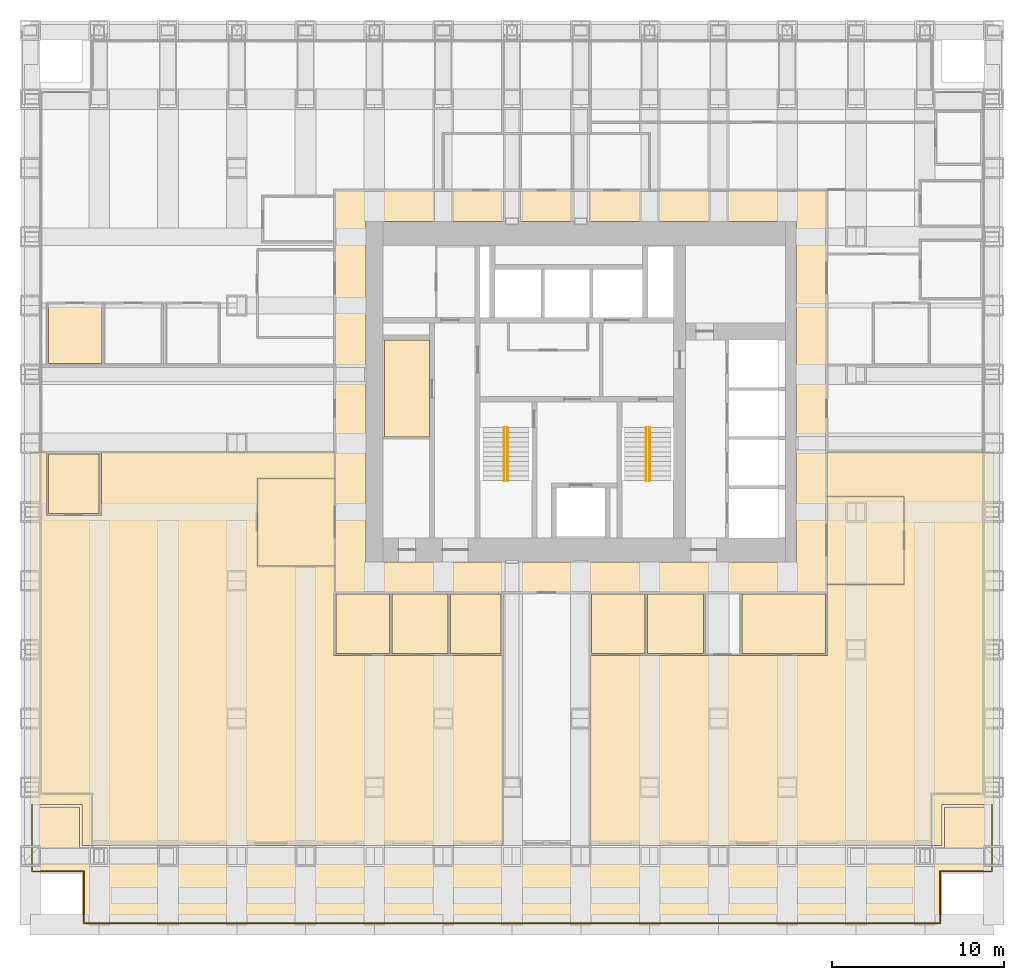
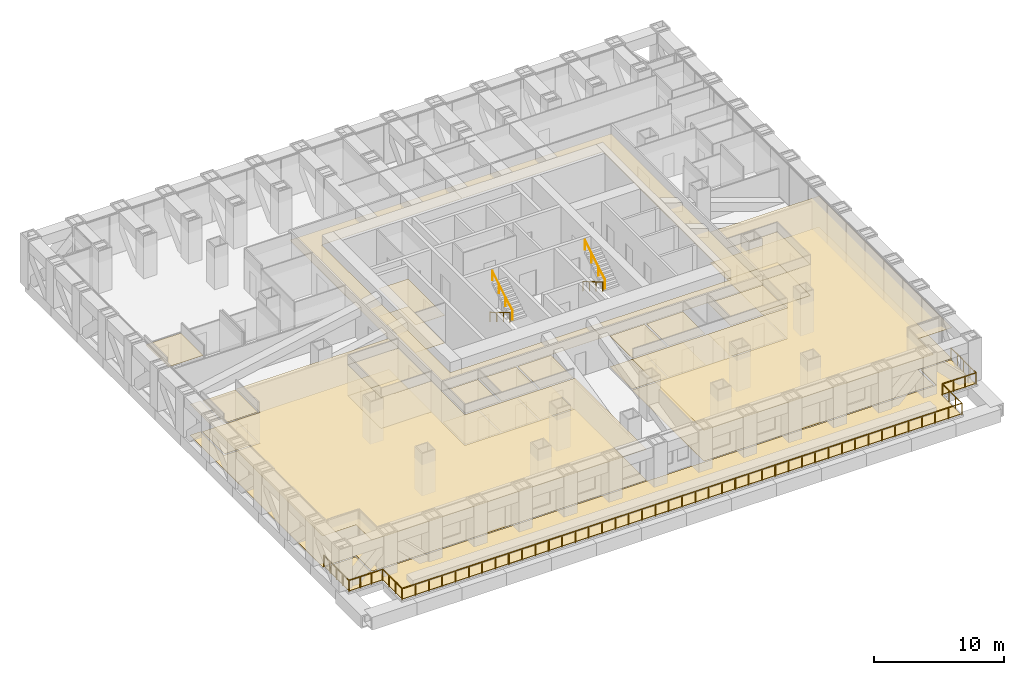
# One storey, part 16 of 18: 28 coverings, 5 railings.
"""IFC4 building model written with IfcOpenShell, lengths in metres."""

from ifc_helpers import new_model, si_unit, direction, frame, origin, origin_2d, place, context, subcontext, project, spatial, polyline, circle, outline, extrude, material, layer, layer_set, type_object, element, save


model = new_model("IFC4")

# Units and contexts
model_context = context("Model", 3, precision=1e-05, world=origin(), true_north=direction((0.0, 1.0)))
body_context = subcontext(model_context, "Body", "Model", "MODEL_VIEW")
ifc_project = project(units=[si_unit("LENGTHUNIT", "METRE"), si_unit("AREAUNIT", "SQUARE_METRE"), si_unit("VOLUMEUNIT", "CUBIC_METRE"), si_unit("PLANEANGLEUNIT", "RADIAN"), si_unit("MASSUNIT", "GRAM", prefix="KILO")], contexts=[model_context])

# Site, building, storey
site_placement = place(None, origin())
site = spatial("IfcSite", under=ifc_project, at=site_placement, CompositionType="ELEMENT")
building_placement = place(site_placement, origin())
building = spatial("IfcBuilding", under=site, at=building_placement, Name="Rimbunsela Tower", CompositionType="ELEMENT")
storey_placement = place(building_placement, frame((0.0, 0.0, 43.0)))
storey = spatial("IfcBuildingStorey", under=building, at=storey_placement, Name="L10", CompositionType="ELEMENT", Elevation=43.0)

# Coverings
ifc_material_1 = material(Name="Nylon carpet tile", Category="textile")
ifc_layer_1 = layer(ifc_material_1, 0.010009765625)
ifc_layer_set_1 = layer_set([ifc_layer_1], Name="Carpet tile 10")
covering_type_1 = type_object("IfcCoveringType", Name="Carpet tile 10", PredefinedType="FLOORING", material=ifc_layer_set_1)
covering_1_placement = place(storey_placement, origin())
element("IfcCovering", 1, at=covering_1_placement, inside=storey, type_object=covering_type_1, Name="Floor finish Open office", PredefinedType="FLOORING", context=body_context, shape_type="SweptSolid", body=[
    extrude(outline(polyline([(19.0, 11.64990234375), (22.300048828125, 11.64990234375), (22.39990234375, 11.64990234375), (25.448974609375, 11.64990234375), (25.448974609375, 0.60009765625), (15.699951171875, 0.60009765625), (1.0, 0.60009765625), (1.0, 3.0), (-2.0, 3.0), (-2.0, 23.448974609375), (-1.070068359375, 23.448974609375), (-1.070068359375, 19.800048828125), (2.1298828125, 19.800048828125), (2.1298828125, 23.448974609375), (15.699951171875, 23.448974609375), (15.699951171875, 21.948974609375), (11.199951171875, 21.948974609375), (11.199951171875, 16.84912109375), (15.699951171875, 16.84912109375), (15.699951171875, 15.35009765625), (15.64990234375, 15.35009765625), (15.64990234375, 11.64990234375), (15.699951171875, 11.64990234375), (18.89990234375, 11.64990234375), (19.0, 11.64990234375)])), origin(), (0.0, 0.0, 1.0), 0.010009765625),
])
covering_2_placement = place(storey_placement, origin())
element("IfcCovering", 2, at=covering_2_placement, inside=storey, type_object=covering_type_1, Name="Floor finish Open office", PredefinedType="FLOORING", context=body_context, shape_type="SweptSolid", body=[
    extrude(outline(polyline([(33.85107421875, 11.64990234375), (37.15087890625, 11.64990234375), (37.2509765625, 11.64990234375), (39.2509765625, 11.64990234375), (39.35107421875, 11.64990234375), (44.300048828125, 11.64990234375), (44.35009765625, 11.64990234375), (44.35009765625, 15.35009765625), (44.300048828125, 15.35009765625), (44.300048828125, 15.799072265625), (48.800048828125, 15.799072265625), (48.800048828125, 20.89892578125), (44.300048828125, 20.89892578125), (44.300048828125, 23.448974609375), (54.0, 23.448974609375), (54.0, 3.0), (51.0, 3.0), (51.0, 0.60009765625), (44.300048828125, 0.60009765625), (30.551025390625, 0.60009765625), (30.551025390625, 11.64990234375), (33.7509765625, 11.64990234375), (33.85107421875, 11.64990234375)])), origin(), (0.0, 0.0, 1.0), 0.010009765625),
])
covering_3_placement = place(storey_placement, origin())
element("IfcCovering", 3, at=covering_3_placement, inside=storey, type_object=covering_type_1, Name="Floor finish Reception", PredefinedType="FLOORING", context=body_context, shape_type="SweptSolid", body=[
    extrude(outline(polyline([(15.699951171875, 16.84912109375), (15.699951171875, 21.948974609375), (11.199951171875, 21.948974609375), (11.199951171875, 16.84912109375), (15.699951171875, 16.84912109375)])), origin(), (0.0, 0.0, 1.0), 0.010009765625),
])
covering_4_placement = place(storey_placement, origin())
element("IfcCovering", 4, at=covering_4_placement, inside=storey, type_object=covering_type_1, Name="Floor finish Reception", PredefinedType="FLOORING", context=body_context, shape_type="SweptSolid", body=[
    extrude(outline(polyline([(48.800048828125, 15.799072265625), (48.800048828125, 20.89892578125), (44.300048828125, 20.89892578125), (44.300048828125, 15.799072265625), (48.800048828125, 15.799072265625)])), origin(), (0.0, 0.0, 1.0), 0.010009765625),
])
covering_5_placement = place(storey_placement, origin())
element("IfcCovering", 5, at=covering_5_placement, inside=storey, type_object=covering_type_1, Name="Floor finish Interview room", PredefinedType="FLOORING", context=body_context, shape_type="SweptSolid", body=[
    extrude(outline(polyline([(18.875, 11.77490234375), (18.875, 15.22509765625), (15.77490234375, 15.22509765625), (15.77490234375, 11.77490234375), (18.875, 11.77490234375)])), origin(), (0.0, 0.0, 1.0), 0.010009765625),
])
covering_6_placement = place(storey_placement, origin())
element("IfcCovering", 6, at=covering_6_placement, inside=storey, type_object=covering_type_1, Name="Floor finish Pantry", PredefinedType="FLOORING", context=body_context, shape_type="SweptSolid", body=[
    extrude(outline(polyline([(22.27490234375, 11.77490234375), (22.27490234375, 15.22509765625), (19.02490234375, 15.22509765625), (19.02490234375, 11.77490234375), (22.27490234375, 11.77490234375)])), origin(), (0.0, 0.0, 1.0), 0.010009765625),
])
covering_7_placement = place(storey_placement, origin())
element("IfcCovering", 7, at=covering_7_placement, inside=storey, type_object=covering_type_1, Name="Floor finish Print and copy room", PredefinedType="FLOORING", context=body_context, shape_type="SweptSolid", body=[
    extrude(outline(polyline([(25.3740234375, 11.77490234375), (25.3740234375, 15.22509765625), (22.425048828125, 15.22509765625), (22.425048828125, 11.77490234375), (25.3740234375, 11.77490234375)])), origin(), (0.0, 0.0, 1.0), 0.010009765625),
])
covering_8_placement = place(storey_placement, origin())
element("IfcCovering", 8, at=covering_8_placement, inside=storey, type_object=covering_type_1, Name="Floor finish Interview room", PredefinedType="FLOORING", context=body_context, shape_type="SweptSolid", body=[
    extrude(outline(polyline([(33.72607421875, 11.77490234375), (33.72607421875, 15.22509765625), (30.6259765625, 15.22509765625), (30.6259765625, 11.77490234375), (33.72607421875, 11.77490234375)])), origin(), (0.0, 0.0, 1.0), 0.010009765625),
])
covering_9_placement = place(storey_placement, origin())
element("IfcCovering", 9, at=covering_9_placement, inside=storey, type_object=covering_type_1, Name="Floor finish Pantry", PredefinedType="FLOORING", context=body_context, shape_type="SweptSolid", body=[
    extrude(outline(polyline([(37.1259765625, 11.77490234375), (37.1259765625, 15.22509765625), (33.8759765625, 15.22509765625), (33.8759765625, 11.77490234375), (37.1259765625, 11.77490234375)])), origin(), (0.0, 0.0, 1.0), 0.010009765625),
])
covering_10_placement = place(storey_placement, origin())
element("IfcCovering", 10, at=covering_10_placement, inside=storey, type_object=covering_type_1, Name="Floor finish Office", PredefinedType="FLOORING", context=body_context, shape_type="SweptSolid", body=[
    extrude(outline(polyline([(44.22509765625, 11.77490234375), (44.22509765625, 15.22509765625), (39.3759765625, 15.22509765625), (39.3759765625, 11.77490234375), (44.22509765625, 11.77490234375)])), origin(), (0.0, 0.0, 1.0), 0.010009765625),
])
covering_11_placement = place(storey_placement, origin())
element("IfcCovering", 11, at=covering_11_placement, inside=storey, type_object=covering_type_1, Name="Floor finish Office", PredefinedType="FLOORING", context=body_context, shape_type="SweptSolid", body=[
    extrude(outline(polyline([(2.0048828125, 19.925048828125), (2.0048828125, 23.375), (-0.945068359375, 23.375), (-0.945068359375, 19.925048828125), (2.0048828125, 19.925048828125)])), origin(), (0.0, 0.0, 1.0), 0.010009765625),
])
ifc_material_2 = material(Name="Mineral fibre ceiling tile", Category="gypsum")
ifc_layer_2 = layer(ifc_material_2, 0.02001953125)
ifc_layer_set_2 = layer_set([ifc_layer_2], Name="Ceiling 600 grid")
covering_type_2 = type_object("IfcCoveringType", Name="Ceiling 600 grid", PredefinedType="CEILING", material=ifc_layer_set_2)
covering_12_placement = place(storey_placement, frame((0.0, 0.0, 2.89990234375)))
element("IfcCovering", 12, at=covering_12_placement, inside=storey, type_object=covering_type_2, Name="Ceiling Ring corridor", PredefinedType="CEILING", context=body_context, shape_type="SweptSolid", body=[
    extrude(outline(polyline([(15.699951171875, 38.699951171875), (30.0, 38.699951171875), (30.0, 36.89990234375), (17.5, 36.89990234375), (17.5, 17.10009765625), (30.0, 17.10009765625), (30.0, 15.300048828125), (15.699951171875, 15.300048828125), (15.699951171875, 38.699951171875)])), origin(), (0.0, 0.0, 1.0), 0.02001953125),
])
covering_13_placement = place(storey_placement, frame((0.0, 0.0, 2.89990234375)))
element("IfcCovering", 13, at=covering_13_placement, inside=storey, type_object=covering_type_2, Name="Ceiling Ring corridor", PredefinedType="CEILING", context=body_context, shape_type="SweptSolid", body=[
    extrude(outline(polyline([(44.300048828125, 38.699951171875), (44.300048828125, 15.300048828125), (30.0, 15.300048828125), (30.0, 17.10009765625), (42.5, 17.10009765625), (42.5, 36.89990234375), (30.0, 36.89990234375), (30.0, 38.699951171875), (44.300048828125, 38.699951171875)])), origin(), (0.0, 0.0, 1.0), 0.02001953125),
])
covering_14_placement = place(storey_placement, frame((0.0, 0.0, 2.89990234375)))
element("IfcCovering", 14, at=covering_14_placement, inside=storey, type_object=covering_type_2, Name="Ceiling Open office", PredefinedType="CEILING", context=body_context, shape_type="SweptSolid", body=[
    extrude(outline(polyline([(19.0, 11.64990234375), (22.300048828125, 11.64990234375), (22.39990234375, 11.64990234375), (25.448974609375, 11.64990234375), (25.448974609375, 0.60009765625), (15.699951171875, 0.60009765625), (1.0, 0.60009765625), (1.0, 3.0), (-2.0, 3.0), (-2.0, 23.448974609375), (-1.070068359375, 23.448974609375), (-1.070068359375, 19.800048828125), (2.1298828125, 19.800048828125), (2.1298828125, 23.448974609375), (15.699951171875, 23.448974609375), (15.699951171875, 21.948974609375), (11.199951171875, 21.948974609375), (11.199951171875, 16.84912109375), (15.699951171875, 16.84912109375), (15.699951171875, 15.35009765625), (15.64990234375, 15.35009765625), (15.64990234375, 11.64990234375), (15.699951171875, 11.64990234375), (18.89990234375, 11.64990234375), (19.0, 11.64990234375)])), origin(), (0.0, 0.0, 1.0), 0.02001953125),
])
covering_15_placement = place(storey_placement, frame((0.0, 0.0, 2.89990234375)))
element("IfcCovering", 15, at=covering_15_placement, inside=storey, type_object=covering_type_2, Name="Ceiling Open office", PredefinedType="CEILING", context=body_context, shape_type="SweptSolid", body=[
    extrude(outline(polyline([(33.85107421875, 11.64990234375), (37.15087890625, 11.64990234375), (37.2509765625, 11.64990234375), (39.2509765625, 11.64990234375), (39.35107421875, 11.64990234375), (44.300048828125, 11.64990234375), (44.35009765625, 11.64990234375), (44.35009765625, 15.35009765625), (44.300048828125, 15.35009765625), (44.300048828125, 15.799072265625), (48.800048828125, 15.799072265625), (48.800048828125, 20.89892578125), (44.300048828125, 20.89892578125), (44.300048828125, 23.448974609375), (54.0, 23.448974609375), (54.0, 3.0), (51.0, 3.0), (51.0, 0.60009765625), (44.300048828125, 0.60009765625), (30.551025390625, 0.60009765625), (30.551025390625, 11.64990234375), (33.7509765625, 11.64990234375), (33.85107421875, 11.64990234375)])), origin(), (0.0, 0.0, 1.0), 0.02001953125),
])
covering_16_placement = place(storey_placement, frame((0.0, 0.0, 2.89990234375)))
element("IfcCovering", 16, at=covering_16_placement, inside=storey, type_object=covering_type_2, Name="Ceiling Reception", PredefinedType="CEILING", context=body_context, shape_type="SweptSolid", body=[
    extrude(outline(polyline([(15.699951171875, 16.84912109375), (15.699951171875, 21.948974609375), (11.199951171875, 21.948974609375), (11.199951171875, 16.84912109375), (15.699951171875, 16.84912109375)])), origin(), (0.0, 0.0, 1.0), 0.02001953125),
])
covering_17_placement = place(storey_placement, frame((0.0, 0.0, 2.89990234375)))
element("IfcCovering", 17, at=covering_17_placement, inside=storey, type_object=covering_type_2, Name="Ceiling Reception", PredefinedType="CEILING", context=body_context, shape_type="SweptSolid", body=[
    extrude(outline(polyline([(48.800048828125, 15.799072265625), (48.800048828125, 20.89892578125), (44.300048828125, 20.89892578125), (44.300048828125, 15.799072265625), (48.800048828125, 15.799072265625)])), origin(), (0.0, 0.0, 1.0), 0.02001953125),
])
covering_18_placement = place(storey_placement, frame((0.0, 0.0, 2.89990234375)))
element("IfcCovering", 18, at=covering_18_placement, inside=storey, type_object=covering_type_2, Name="Ceiling Interview room", PredefinedType="CEILING", context=body_context, shape_type="SweptSolid", body=[
    extrude(outline(polyline([(18.875, 11.77490234375), (18.875, 15.22509765625), (15.77490234375, 15.22509765625), (15.77490234375, 11.77490234375), (18.875, 11.77490234375)])), origin(), (0.0, 0.0, 1.0), 0.02001953125),
])
covering_19_placement = place(storey_placement, frame((0.0, 0.0, 2.89990234375)))
element("IfcCovering", 19, at=covering_19_placement, inside=storey, type_object=covering_type_2, Name="Ceiling Pantry", PredefinedType="CEILING", context=body_context, shape_type="SweptSolid", body=[
    extrude(outline(polyline([(22.27490234375, 11.77490234375), (22.27490234375, 15.22509765625), (19.02490234375, 15.22509765625), (19.02490234375, 11.77490234375), (22.27490234375, 11.77490234375)])), origin(), (0.0, 0.0, 1.0), 0.02001953125),
])
covering_20_placement = place(storey_placement, frame((0.0, 0.0, 2.89990234375)))
element("IfcCovering", 20, at=covering_20_placement, inside=storey, type_object=covering_type_2, Name="Ceiling Print and copy room", PredefinedType="CEILING", context=body_context, shape_type="SweptSolid", body=[
    extrude(outline(polyline([(25.3740234375, 11.77490234375), (25.3740234375, 15.22509765625), (22.425048828125, 15.22509765625), (22.425048828125, 11.77490234375), (25.3740234375, 11.77490234375)])), origin(), (0.0, 0.0, 1.0), 0.02001953125),
])
covering_21_placement = place(storey_placement, frame((0.0, 0.0, 2.89990234375)))
element("IfcCovering", 21, at=covering_21_placement, inside=storey, type_object=covering_type_2, Name="Ceiling Interview room", PredefinedType="CEILING", context=body_context, shape_type="SweptSolid", body=[
    extrude(outline(polyline([(33.72607421875, 11.77490234375), (33.72607421875, 15.22509765625), (30.6259765625, 15.22509765625), (30.6259765625, 11.77490234375), (33.72607421875, 11.77490234375)])), origin(), (0.0, 0.0, 1.0), 0.02001953125),
])
covering_22_placement = place(storey_placement, frame((0.0, 0.0, 2.89990234375)))
element("IfcCovering", 22, at=covering_22_placement, inside=storey, type_object=covering_type_2, Name="Ceiling Pantry", PredefinedType="CEILING", context=body_context, shape_type="SweptSolid", body=[
    extrude(outline(polyline([(37.1259765625, 11.77490234375), (37.1259765625, 15.22509765625), (33.8759765625, 15.22509765625), (33.8759765625, 11.77490234375), (37.1259765625, 11.77490234375)])), origin(), (0.0, 0.0, 1.0), 0.02001953125),
])
covering_23_placement = place(storey_placement, frame((0.0, 0.0, 2.89990234375)))
element("IfcCovering", 23, at=covering_23_placement, inside=storey, type_object=covering_type_2, Name="Ceiling Office", PredefinedType="CEILING", context=body_context, shape_type="SweptSolid", body=[
    extrude(outline(polyline([(44.22509765625, 11.77490234375), (44.22509765625, 15.22509765625), (39.3759765625, 15.22509765625), (39.3759765625, 11.77490234375), (44.22509765625, 11.77490234375)])), origin(), (0.0, 0.0, 1.0), 0.02001953125),
])
covering_24_placement = place(storey_placement, frame((0.0, 0.0, 2.89990234375)))
element("IfcCovering", 24, at=covering_24_placement, inside=storey, type_object=covering_type_2, Name="Ceiling Office", PredefinedType="CEILING", context=body_context, shape_type="SweptSolid", body=[
    extrude(outline(polyline([(2.0048828125, 19.925048828125), (2.0048828125, 23.375), (-0.945068359375, 23.375), (-0.945068359375, 19.925048828125), (2.0048828125, 19.925048828125)])), origin(), (0.0, 0.0, 1.0), 0.02001953125),
])
covering_25_placement = place(storey_placement, frame((0.0, 0.0, 2.89990234375)))
element("IfcCovering", 25, at=covering_25_placement, inside=storey, type_object=covering_type_2, Name="Ceiling Interview room", PredefinedType="CEILING", context=body_context, shape_type="SweptSolid", body=[
    extrude(outline(polyline([(2.155029296875, 28.625), (2.155029296875, 32.074951171875), (-0.945068359375, 32.074951171875), (-0.945068359375, 28.625), (2.155029296875, 28.625)])), origin(), (0.0, 0.0, 1.0), 0.02001953125),
])
ifc_material_3 = material(Name="Moisture-resistant plasterboard ceiling", Category="gypsum")
ifc_layer_3 = layer(ifc_material_3, 0.012451171875)
ifc_layer_set_3 = layer_set([ifc_layer_3], Name="Ceiling moisture-resistant board")
covering_type_3 = type_object("IfcCoveringType", Name="Ceiling moisture-resistant board", PredefinedType="CEILING", material=ifc_layer_set_3)
covering_26_placement = place(storey_placement, frame((0.0, 0.0, 2.60009765625)))
element("IfcCovering", 26, at=covering_26_placement, inside=storey, type_object=covering_type_3, Name="Ceiling Staff WC", PredefinedType="CEILING", context=body_context, shape_type="SweptSolid", body=[
    extrude(outline(polyline([(21.199951171875, 24.35009765625), (21.199951171875, 30.0), (18.60009765625, 30.0), (18.60009765625, 24.35009765625), (21.199951171875, 24.35009765625)])), origin(), (0.0, 0.0, 1.0), 0.02001953125),
])
ifc_material_4 = material(Name="Porcelain floor tile in adhesive bed", Category="ceramic")
ifc_layer_4 = layer(ifc_material_4, 0.02001953125)
ifc_layer_set_4 = layer_set([ifc_layer_4], Name="Porcelain tile 20")
covering_type_4 = type_object("IfcCoveringType", Name="Porcelain tile 20", PredefinedType="FLOORING", material=ifc_layer_set_4)
covering_27_placement = place(storey_placement, origin())
element("IfcCovering", 27, at=covering_27_placement, inside=storey, type_object=covering_type_4, Name="Floor finish Staff WC", PredefinedType="FLOORING", context=body_context, shape_type="SweptSolid", body=[
    extrude(outline(polyline([(21.199951171875, 24.35009765625), (21.199951171875, 30.0), (18.60009765625, 30.0), (18.60009765625, 24.35009765625), (21.199951171875, 24.35009765625)])), origin(), (0.0, 0.0, 1.0), 0.02001953125),
])

# Railings
ifc_material_5 = material(Name="Stainless steel tube", Category="steel")
railing_type_1 = type_object("IfcRailingType", Name="Stair handrail 900", PredefinedType="HANDRAIL", material=ifc_material_5)
railing_1_placement = place(storey_placement, frame((25.550048828125, 24.89990234375, 0.166748046875)))
element("IfcRailing", 28, at=railing_1_placement, inside=storey, type_object=railing_type_1, Name="Handrail ST-A flight 1", PredefinedType="HANDRAIL", context=body_context, shape_type="SweptSolid", body=[
    extrude(circle(Radius=0.02392578125, at=origin_2d()), frame((0.0, 0.0, 0.8759765625), z_axis=(0.0, -0.859290745958, 0.51148745235), x_axis=(1.0, 0.0, 0.0)), (0.0, 0.0, 1.0), 3.584228515625),
    extrude(circle(Radius=0.02099609375, at=origin_2d()), origin(), (0.0, 0.0, 1.0), 0.851806640625),
    extrude(circle(Radius=0.02099609375, at=origin_2d()), frame((0.0, -1.026611328125, 0.611083984375)), (0.0, 0.0, 1.0), 0.851806640625),
    extrude(circle(Radius=0.02099609375, at=origin_2d()), frame((0.0, -2.05322265625, 1.22216796875)), (0.0, 0.0, 1.0), 0.851806640625),
    extrude(circle(Radius=0.02099609375, at=origin_2d()), frame((0.0, -3.079833984375, 1.833251953125)), (0.0, 0.0, 1.0), 0.851806640625),
])
railing_2_placement = place(storey_placement, frame((25.75, 21.820068359375, 2.166748046875)))
element("IfcRailing", 29, at=railing_2_placement, inside=storey, type_object=railing_type_1, Name="Handrail ST-A flight 2", PredefinedType="HANDRAIL", context=body_context, shape_type="SweptSolid", body=[
    extrude(circle(Radius=0.02392578125, at=origin_2d()), frame((0.0, 0.0, 0.8759765625), z_axis=(0.0, 0.859290745958, 0.51148745235), x_axis=(-1.0, 0.0, 0.0)), (0.0, 0.0, 1.0), 3.584228515625),
    extrude(circle(Radius=0.02099609375, at=origin_2d()), origin(), (0.0, 0.0, 1.0), 0.851806640625),
    extrude(circle(Radius=0.02099609375, at=origin_2d()), frame((0.0, 1.026611328125, 0.611083984375)), (0.0, 0.0, 1.0), 0.851806640625),
    extrude(circle(Radius=0.02099609375, at=origin_2d()), frame((0.0, 2.05322265625, 1.22216796875)), (0.0, 0.0, 1.0), 0.851806640625),
    extrude(circle(Radius=0.02099609375, at=origin_2d()), frame((0.0, 3.079833984375, 1.833251953125)), (0.0, 0.0, 1.0), 0.851806640625),
])
railing_3_placement = place(storey_placement, frame((33.800048828125, 24.89990234375, 0.166748046875)))
element("IfcRailing", 30, at=railing_3_placement, inside=storey, type_object=railing_type_1, Name="Handrail ST-B flight 1", PredefinedType="HANDRAIL", context=body_context, shape_type="SweptSolid", body=[
    extrude(circle(Radius=0.02392578125, at=origin_2d()), frame((0.0, 0.0, 0.8759765625), z_axis=(0.0, -0.859290745958, 0.51148745235), x_axis=(1.0, 0.0, 0.0)), (0.0, 0.0, 1.0), 3.584228515625),
    extrude(circle(Radius=0.02099609375, at=origin_2d()), origin(), (0.0, 0.0, 1.0), 0.851806640625),
    extrude(circle(Radius=0.02099609375, at=origin_2d()), frame((0.0, -1.026611328125, 0.611083984375)), (0.0, 0.0, 1.0), 0.851806640625),
    extrude(circle(Radius=0.02099609375, at=origin_2d()), frame((0.0, -2.05322265625, 1.22216796875)), (0.0, 0.0, 1.0), 0.851806640625),
    extrude(circle(Radius=0.02099609375, at=origin_2d()), frame((0.0, -3.079833984375, 1.833251953125)), (0.0, 0.0, 1.0), 0.851806640625),
])
railing_4_placement = place(storey_placement, frame((34.0, 21.820068359375, 2.166748046875)))
element("IfcRailing", 31, at=railing_4_placement, inside=storey, type_object=railing_type_1, Name="Handrail ST-B flight 2", PredefinedType="HANDRAIL", context=body_context, shape_type="SweptSolid", body=[
    extrude(circle(Radius=0.02392578125, at=origin_2d()), frame((0.0, 0.0, 0.8759765625), z_axis=(0.0, 0.859290745958, 0.51148745235), x_axis=(-1.0, 0.0, 0.0)), (0.0, 0.0, 1.0), 3.584228515625),
    extrude(circle(Radius=0.02099609375, at=origin_2d()), origin(), (0.0, 0.0, 1.0), 0.851806640625),
    extrude(circle(Radius=0.02099609375, at=origin_2d()), frame((0.0, 1.026611328125, 0.611083984375)), (0.0, 0.0, 1.0), 0.851806640625),
    extrude(circle(Radius=0.02099609375, at=origin_2d()), frame((0.0, 2.05322265625, 1.22216796875)), (0.0, 0.0, 1.0), 0.851806640625),
    extrude(circle(Radius=0.02099609375, at=origin_2d()), frame((0.0, 3.079833984375, 1.833251953125)), (0.0, 0.0, 1.0), 0.851806640625),
])
ifc_material_6 = material(Name="Laminated glass balustrade", Category="glass")
railing_type_2 = type_object("IfcRailingType", Name="Terrace guard 1100", PredefinedType="GUARDRAIL", material=ifc_material_6)
railing_5_placement = place(storey_placement, frame((53.89990234375, 2.949951171875, 0.0)))
element("IfcRailing", 32, at=railing_5_placement, inside=storey, type_object=railing_type_2, Name="Terrace guard L10", PredefinedType="GUARDRAIL", context=body_context, shape_type="SweptSolid", body=[
    extrude(circle(Radius=0.02392578125, at=origin_2d()), frame((0.0, 0.0, 1.076171875), z_axis=(0.0, -1.0, 0.0), x_axis=(1.0, 0.0, 0.0)), (0.0, 0.0, 1.0), 3.849853515625),
    extrude(circle(Radius=0.02392578125, at=origin_2d()), frame((0.0, -3.849853515625, 1.076171875), z_axis=(-1.0, 0.0, 0.0), x_axis=(0.0, -1.0, 0.0)), (0.0, 0.0, 1.0), 3.0),
    extrude(circle(Radius=0.02392578125, at=origin_2d()), frame((-3.0, -3.849853515625, 1.076171875), z_axis=(0.0, -1.0, 0.0), x_axis=(1.0, 0.0, 0.0)), (0.0, 0.0, 1.0), 3.0),
    extrude(circle(Radius=0.02392578125, at=origin_2d()), frame((-3.0, -6.849853515625, 1.076171875), z_axis=(-1.0, 0.0, 0.0), x_axis=(0.0, -1.0, 0.0)), (0.0, 0.0, 1.0), 49.7998046875),
    extrude(circle(Radius=0.02392578125, at=origin_2d()), frame((-52.7998046875, -6.849853515625, 1.076171875), z_axis=(0.0, 1.0, 0.0), x_axis=(-1.0, 0.0, 0.0)), (0.0, 0.0, 1.0), 3.0),
    extrude(circle(Radius=0.02392578125, at=origin_2d()), frame((-52.7998046875, -3.849853515625, 1.076171875), z_axis=(-1.0, 0.0, 0.0), x_axis=(0.0, -1.0, 0.0)), (0.0, 0.0, 1.0), 3.0),
    extrude(circle(Radius=0.02392578125, at=origin_2d()), frame((-55.7998046875, -3.849853515625, 1.076171875), z_axis=(0.0, 1.0, 0.0), x_axis=(-1.0, 0.0, 0.0)), (0.0, 0.0, 1.0), 3.849853515625),
    extrude(circle(Radius=0.02099609375, at=origin_2d()), origin(), (0.0, 0.0, 1.0), 1.052001953125),
    extrude(circle(Radius=0.02099609375, at=origin_2d()), frame((0.0, -0.96240234375, 0.0)), (0.0, 0.0, 1.0), 1.052001953125),
    extrude(circle(Radius=0.02099609375, at=origin_2d()), frame((0.0, -1.9248046875, 0.0)), (0.0, 0.0, 1.0), 1.052001953125),
    extrude(circle(Radius=0.02099609375, at=origin_2d()), frame((0.0, -2.887451171875, 0.0)), (0.0, 0.0, 1.0), 1.052001953125),
    extrude(circle(Radius=0.02099609375, at=origin_2d()), frame((0.0, -3.849853515625, 0.0)), (0.0, 0.0, 1.0), 1.052001953125),
    extrude(circle(Radius=0.02099609375, at=origin_2d()), frame((-1.0, -3.849853515625, 0.0)), (0.0, 0.0, 1.0), 1.052001953125),
    extrude(circle(Radius=0.02099609375, at=origin_2d()), frame((-2.0, -3.849853515625, 0.0)), (0.0, 0.0, 1.0), 1.052001953125),
    extrude(circle(Radius=0.02099609375, at=origin_2d()), frame((-3.0, -3.849853515625, 0.0)), (0.0, 0.0, 1.0), 1.052001953125),
    extrude(circle(Radius=0.02099609375, at=origin_2d()), frame((-3.0, -4.849853515625, 0.0)), (0.0, 0.0, 1.0), 1.052001953125),
    extrude(circle(Radius=0.02099609375, at=origin_2d()), frame((-3.0, -5.849853515625, 0.0)), (0.0, 0.0, 1.0), 1.052001953125),
    extrude(circle(Radius=0.02099609375, at=origin_2d()), frame((-3.0, -6.849853515625, 0.0)), (0.0, 0.0, 1.0), 1.052001953125),
    extrude(circle(Radius=0.02099609375, at=origin_2d()), frame((-4.185791015625, -6.849853515625, 0.0)), (0.0, 0.0, 1.0), 1.052001953125),
    extrude(circle(Radius=0.02099609375, at=origin_2d()), frame((-5.371337890625, -6.849853515625, 0.0)), (0.0, 0.0, 1.0), 1.052001953125),
    extrude(circle(Radius=0.02099609375, at=origin_2d()), frame((-6.55712890625, -6.849853515625, 0.0)), (0.0, 0.0, 1.0), 1.052001953125),
    extrude(circle(Radius=0.02099609375, at=origin_2d()), frame((-7.742919921875, -6.849853515625, 0.0)), (0.0, 0.0, 1.0), 1.052001953125),
    extrude(circle(Radius=0.02099609375, at=origin_2d()), frame((-8.928466796875, -6.849853515625, 0.0)), (0.0, 0.0, 1.0), 1.052001953125),
    extrude(circle(Radius=0.02099609375, at=origin_2d()), frame((-10.1142578125, -6.849853515625, 0.0)), (0.0, 0.0, 1.0), 1.052001953125),
    extrude(circle(Radius=0.02099609375, at=origin_2d()), frame((-11.300048828125, -6.849853515625, 0.0)), (0.0, 0.0, 1.0), 1.052001953125),
    extrude(circle(Radius=0.02099609375, at=origin_2d()), frame((-12.485595703125, -6.849853515625, 0.0)), (0.0, 0.0, 1.0), 1.052001953125),
    extrude(circle(Radius=0.02099609375, at=origin_2d()), frame((-13.67138671875, -6.849853515625, 0.0)), (0.0, 0.0, 1.0), 1.052001953125),
    extrude(circle(Radius=0.02099609375, at=origin_2d()), frame((-14.857177734375, -6.849853515625, 0.0)), (0.0, 0.0, 1.0), 1.052001953125),
    extrude(circle(Radius=0.02099609375, at=origin_2d()), frame((-16.042724609375, -6.849853515625, 0.0)), (0.0, 0.0, 1.0), 1.052001953125),
    extrude(circle(Radius=0.02099609375, at=origin_2d()), frame((-17.228515625, -6.849853515625, 0.0)), (0.0, 0.0, 1.0), 1.052001953125),
    extrude(circle(Radius=0.02099609375, at=origin_2d()), frame((-18.414306640625, -6.849853515625, 0.0)), (0.0, 0.0, 1.0), 1.052001953125),
    extrude(circle(Radius=0.02099609375, at=origin_2d()), frame((-19.599853515625, -6.849853515625, 0.0)), (0.0, 0.0, 1.0), 1.052001953125),
    extrude(circle(Radius=0.02099609375, at=origin_2d()), frame((-20.78564453125, -6.849853515625, 0.0)), (0.0, 0.0, 1.0), 1.052001953125),
    extrude(circle(Radius=0.02099609375, at=origin_2d()), frame((-21.971435546875, -6.849853515625, 0.0)), (0.0, 0.0, 1.0), 1.052001953125),
    extrude(circle(Radius=0.02099609375, at=origin_2d()), frame((-23.156982421875, -6.849853515625, 0.0)), (0.0, 0.0, 1.0), 1.052001953125),
    extrude(circle(Radius=0.02099609375, at=origin_2d()), frame((-24.3427734375, -6.849853515625, 0.0)), (0.0, 0.0, 1.0), 1.052001953125),
    extrude(circle(Radius=0.02099609375, at=origin_2d()), frame((-25.528564453125, -6.849853515625, 0.0)), (0.0, 0.0, 1.0), 1.052001953125),
    extrude(circle(Radius=0.02099609375, at=origin_2d()), frame((-26.714111328125, -6.849853515625, 0.0)), (0.0, 0.0, 1.0), 1.052001953125),
    extrude(circle(Radius=0.02099609375, at=origin_2d()), frame((-27.89990234375, -6.849853515625, 0.0)), (0.0, 0.0, 1.0), 1.052001953125),
    extrude(circle(Radius=0.02099609375, at=origin_2d()), frame((-29.085693359375, -6.849853515625, 0.0)), (0.0, 0.0, 1.0), 1.052001953125),
    extrude(circle(Radius=0.02099609375, at=origin_2d()), frame((-30.271240234375, -6.849853515625, 0.0)), (0.0, 0.0, 1.0), 1.052001953125),
    extrude(circle(Radius=0.02099609375, at=origin_2d()), frame((-31.45703125, -6.849853515625, 0.0)), (0.0, 0.0, 1.0), 1.052001953125),
    extrude(circle(Radius=0.02099609375, at=origin_2d()), frame((-32.642822265625, -6.849853515625, 0.0)), (0.0, 0.0, 1.0), 1.052001953125),
    extrude(circle(Radius=0.02099609375, at=origin_2d()), frame((-33.828369140625, -6.849853515625, 0.0)), (0.0, 0.0, 1.0), 1.052001953125),
    extrude(circle(Radius=0.02099609375, at=origin_2d()), frame((-35.01416015625, -6.849853515625, 0.0)), (0.0, 0.0, 1.0), 1.052001953125),
    extrude(circle(Radius=0.02099609375, at=origin_2d()), frame((-36.199951171875, -6.849853515625, 0.0)), (0.0, 0.0, 1.0), 1.052001953125),
    extrude(circle(Radius=0.02099609375, at=origin_2d()), frame((-37.385498046875, -6.849853515625, 0.0)), (0.0, 0.0, 1.0), 1.052001953125),
    extrude(circle(Radius=0.02099609375, at=origin_2d()), frame((-38.5712890625, -6.849853515625, 0.0)), (0.0, 0.0, 1.0), 1.052001953125),
    extrude(circle(Radius=0.02099609375, at=origin_2d()), frame((-39.757080078125, -6.849853515625, 0.0)), (0.0, 0.0, 1.0), 1.052001953125),
    extrude(circle(Radius=0.02099609375, at=origin_2d()), frame((-40.942626953125, -6.849853515625, 0.0)), (0.0, 0.0, 1.0), 1.052001953125),
    extrude(circle(Radius=0.02099609375, at=origin_2d()), frame((-42.12841796875, -6.849853515625, 0.0)), (0.0, 0.0, 1.0), 1.052001953125),
    extrude(circle(Radius=0.02099609375, at=origin_2d()), frame((-43.314208984375, -6.849853515625, 0.0)), (0.0, 0.0, 1.0), 1.052001953125),
    extrude(circle(Radius=0.02099609375, at=origin_2d()), frame((-44.499755859375, -6.849853515625, 0.0)), (0.0, 0.0, 1.0), 1.052001953125),
    extrude(circle(Radius=0.02099609375, at=origin_2d()), frame((-45.685546875, -6.849853515625, 0.0)), (0.0, 0.0, 1.0), 1.052001953125),
    extrude(circle(Radius=0.02099609375, at=origin_2d()), frame((-46.871337890625, -6.849853515625, 0.0)), (0.0, 0.0, 1.0), 1.052001953125),
    extrude(circle(Radius=0.02099609375, at=origin_2d()), frame((-48.056884765625, -6.849853515625, 0.0)), (0.0, 0.0, 1.0), 1.052001953125),
    extrude(circle(Radius=0.02099609375, at=origin_2d()), frame((-49.24267578125, -6.849853515625, 0.0)), (0.0, 0.0, 1.0), 1.052001953125),
    extrude(circle(Radius=0.02099609375, at=origin_2d()), frame((-50.428466796875, -6.849853515625, 0.0)), (0.0, 0.0, 1.0), 1.052001953125),
    extrude(circle(Radius=0.02099609375, at=origin_2d()), frame((-51.614013671875, -6.849853515625, 0.0)), (0.0, 0.0, 1.0), 1.052001953125),
    extrude(circle(Radius=0.02099609375, at=origin_2d()), frame((-52.7998046875, -6.849853515625, 0.0)), (0.0, 0.0, 1.0), 1.052001953125),
    extrude(circle(Radius=0.02099609375, at=origin_2d()), frame((-52.7998046875, -5.849853515625, 0.0)), (0.0, 0.0, 1.0), 1.052001953125),
    extrude(circle(Radius=0.02099609375, at=origin_2d()), frame((-52.7998046875, -4.849853515625, 0.0)), (0.0, 0.0, 1.0), 1.052001953125),
    extrude(circle(Radius=0.02099609375, at=origin_2d()), frame((-52.7998046875, -3.849853515625, 0.0)), (0.0, 0.0, 1.0), 1.052001953125),
    extrude(circle(Radius=0.02099609375, at=origin_2d()), frame((-53.7998046875, -3.849853515625, 0.0)), (0.0, 0.0, 1.0), 1.052001953125),
    extrude(circle(Radius=0.02099609375, at=origin_2d()), frame((-54.7998046875, -3.849853515625, 0.0)), (0.0, 0.0, 1.0), 1.052001953125),
    extrude(circle(Radius=0.02099609375, at=origin_2d()), frame((-55.7998046875, -3.849853515625, 0.0)), (0.0, 0.0, 1.0), 1.052001953125),
    extrude(circle(Radius=0.02099609375, at=origin_2d()), frame((-55.7998046875, -2.887451171875, 0.0)), (0.0, 0.0, 1.0), 1.052001953125),
    extrude(circle(Radius=0.02099609375, at=origin_2d()), frame((-55.7998046875, -1.9248046875, 0.0)), (0.0, 0.0, 1.0), 1.052001953125),
    extrude(circle(Radius=0.02099609375, at=origin_2d()), frame((-55.7998046875, -0.96240234375, 0.0)), (0.0, 0.0, 1.0), 1.052001953125),
    extrude(circle(Radius=0.02099609375, at=origin_2d()), frame((-55.7998046875, 0.0, 0.0)), (0.0, 0.0, 1.0), 1.052001953125),
])

# Covering
ifc_material_7 = material(Name="Porcelain paving on pedestals", Category="masonry")
ifc_layer_5 = layer(ifc_material_7, 0.050048828125)
ifc_layer_set_5 = layer_set([ifc_layer_5], Name="Terrace paving 50")
covering_type_5 = type_object("IfcCoveringType", Name="Terrace paving 50", PredefinedType="FLOORING", material=ifc_layer_set_5)
covering_28_placement = place(storey_placement, origin())
element("IfcCovering", 33, at=covering_28_placement, inside=storey, type_object=covering_type_5, Name="Terrace paving L10", PredefinedType="FLOORING", context=body_context, shape_type="SweptSolid", body=[
    extrude(outline(polyline([(53.85009765625, -0.85009765625), (50.85009765625, -0.85009765625), (50.85009765625, -3.85009765625), (1.14990234375, -3.85009765625), (1.14990234375, -0.85009765625), (-1.85009765625, -0.85009765625), (-1.85009765625, 2.85009765625), (0.85009765625, 2.85009765625), (0.85009765625, 0.449951171875), (51.14990234375, 0.449951171875), (51.14990234375, 2.85009765625), (53.85009765625, 2.85009765625), (53.85009765625, -0.85009765625)])), origin(), (0.0, 0.0, 1.0), 0.050048828125),
])

save(model, "model.ifc")
